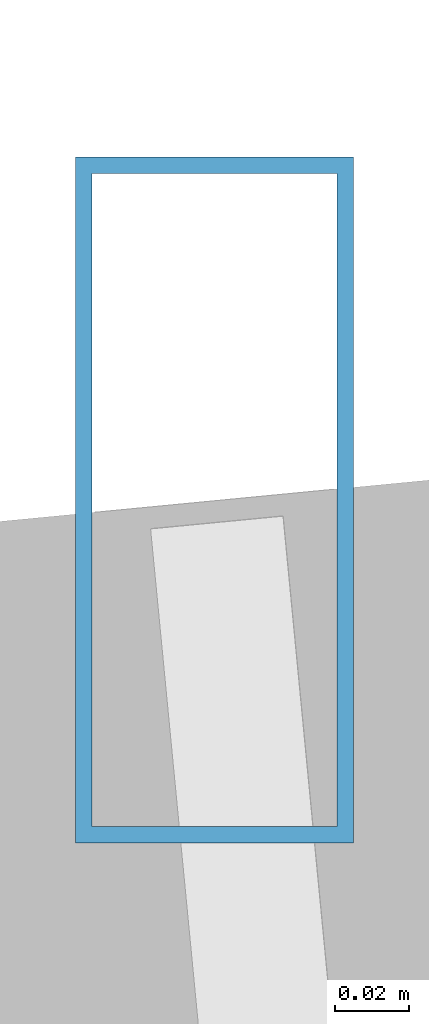
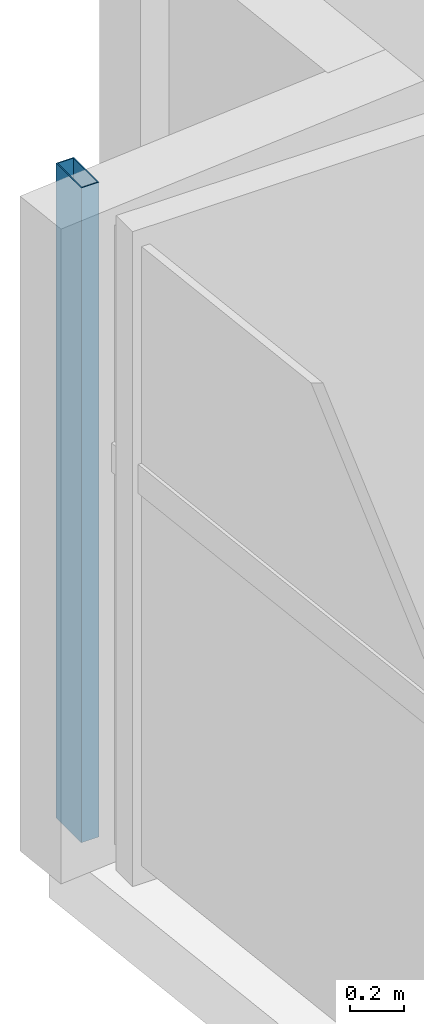
# One storey, part 8 of 25: 1 member, 1 element without a shape of its own.
"""IFC4 building model written with IfcOpenShell, lengths in metres."""

from ifc_helpers import new_model, si_unit, direction, frame, origin, origin_2d, place, context, subcontext, project, spatial, hollow_rectangle, extrude, source, transform, mapped, material, material_profile, profile_set, type_object, type_shapes, element, aggregate, save


model = new_model("IFC4")

# Units and contexts
model_context = context("Model", 3, precision=1e-05, world=origin(), true_north=direction((0.0, 1.0)))
body_context = subcontext(model_context, "Body", "Model", "MODEL_VIEW")
ifc_project = project(units=[si_unit("LENGTHUNIT", "METRE"), si_unit("AREAUNIT", "SQUARE_METRE"), si_unit("VOLUMEUNIT", "CUBIC_METRE"), si_unit("PLANEANGLEUNIT", "RADIAN"), si_unit("MASSUNIT", "GRAM", prefix="KILO")], contexts=[model_context])

# Site, building, storey
site_placement = place(None, origin())
site = spatial("IfcSite", under=ifc_project, at=site_placement, CompositionType="ELEMENT")
building_placement = place(site_placement, origin())
building = spatial("IfcBuilding", under=site, at=building_placement, Name="Astriad Promenade Condominiums", CompositionType="ELEMENT")
storey_placement = place(building_placement, frame((0.0, 0.0, 81.0)))
storey = spatial("IfcBuildingStorey", under=building, at=storey_placement, Name="L22", CompositionType="ELEMENT", Elevation=81.0)

# Curtain wall, member
ifc_material_1 = material(Name="Anodised aluminium Black Dark Glass Unitised", Category="aluminium")
curtain_wall_type = type_object("IfcCurtainWallType", Name="CW-B2-DARK", PredefinedType="USERDEFINED", material=ifc_material_1)
curtain_wall_placement = place(storey_placement, origin())
curtain_wall = element("IfcCurtainWall", 1, at=curtain_wall_placement, inside=storey, type_object=curtain_wall_type, Name="CW-L22-W", ObjectType="UNITISED_CURTAIN_WALL", PredefinedType="USERDEFINED")
ifc_material_2 = material(Name="Anodised aluminium 6063-T6 Black", Category="aluminium")
ifc_material_profile = material_profile(ifc_material_2, hollow_rectangle(XDim=0.074951171875, YDim=0.18505859375, WallThickness=0.00439453125, at=origin_2d()), Name="ALU-MUL-75X185")
ifc_profile_set = profile_set([ifc_material_profile], Name="Anodised aluminium 6063-T6 Black")
member_type = type_object("IfcMemberType", Name="MUL-ALU-MUL-75X185", PredefinedType="MULLION", material=ifc_profile_set)
shared_shape = source(origin(), body_context, "Body", "SweptSolid", [
    extrude(hollow_rectangle(XDim=0.074951171875, YDim=0.18505859375, WallThickness=0.00439453125, at=origin_2d()), origin(), (0.0, 0.0, 1.0), 2.93994140625),
])
type_shapes(member_type, [shared_shape])
member_placement = place(storey_placement, frame((8.94775390625, 20.921875, 0.0), z_axis=(0.0, 0.0, 1.0), x_axis=(1.0, 0.0, 0.0)))
member = element("IfcMember", 2, at=member_placement, type_object=member_type, Name="CW-L22-W-MUL-03", PredefinedType="MULLION", context=body_context, shape_type="MappedRepresentation", body=[
    mapped(shared_shape, transform((0.0, 0.0, 0.0), scale=1.0)),
])
aggregate(curtain_wall, [member])

save(model, "model.ifc")
